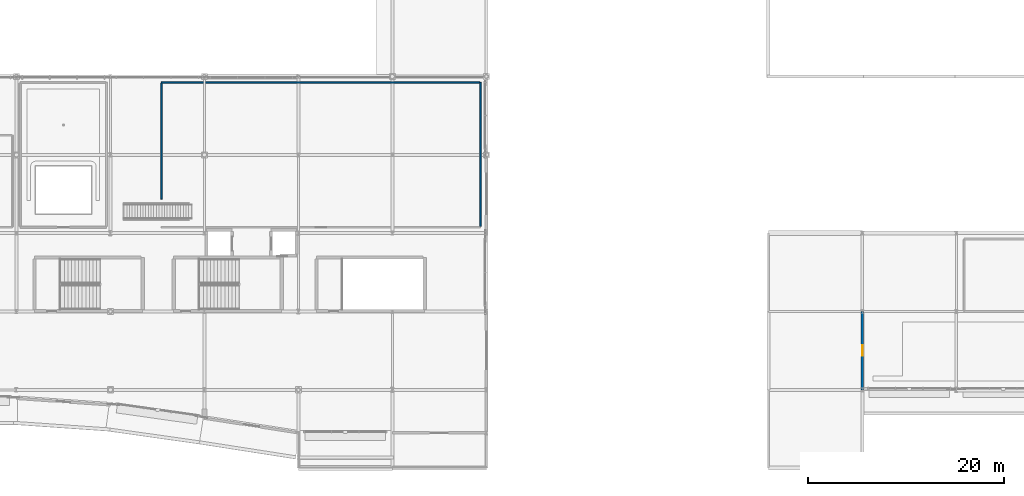
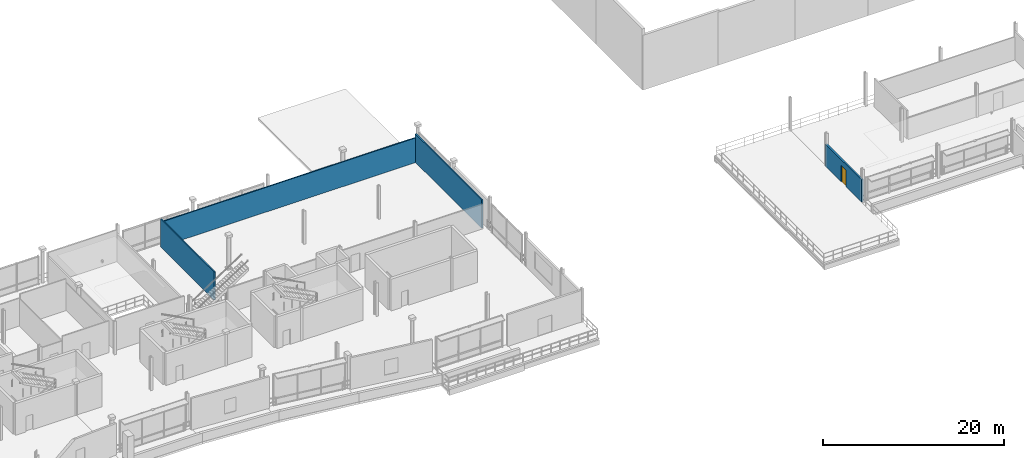
# One storey, part 39 of 59: 4 walls, 1 door, 1 opening.
"""IFC4 building model written with IfcOpenShell, lengths in metres."""

from ifc_helpers import new_model, si_unit, direction, frame, frame_2d, origin, place, context, subcontext, project, spatial, rectangle, extrude, material, layer, layer_set, type_object, element, fill, save


model = new_model("IFC4")

# Units and contexts
model_context = context("Model", 3, precision=1e-05, world=origin(), true_north=direction((0.0, 1.0)))
body_context = subcontext(model_context, "Body", "Model", "MODEL_VIEW")
ifc_project = project(units=[si_unit("LENGTHUNIT", "METRE"), si_unit("AREAUNIT", "SQUARE_METRE"), si_unit("VOLUMEUNIT", "CUBIC_METRE"), si_unit("PLANEANGLEUNIT", "RADIAN"), si_unit("MASSUNIT", "GRAM", prefix="KILO")], contexts=[model_context])

# Site, building, storey
site_placement = place(None, origin())
site = spatial("IfcSite", under=ifc_project, at=site_placement, CompositionType="ELEMENT")
building_placement = place(site_placement, origin())
building = spatial("IfcBuilding", under=site, at=building_placement, Name="Danafjord Basin Convention Centre", CompositionType="ELEMENT")
storey_placement = place(building_placement, frame((0.0, 0.0, 15.89990234375)))
storey = spatial("IfcBuildingStorey", under=building, at=storey_placement, Name="L03", CompositionType="ELEMENT", Elevation=15.89990234375)

# Wall, opening, door
ifc_material_1 = material(Name="Concrete C35/45", Category="concrete")
ifc_layer_1 = layer(ifc_material_1, 0.22998046875)
ifc_layer_set_1 = layer_set([ifc_layer_1], Name="Concrete C35/45")
wall_type_1 = type_object("IfcWallType", Name="WALL-EW-STD230", PredefinedType="STANDARD", material=ifc_layer_set_1)
wall_1_placement = place(storey_placement, frame((153.60009765625, 8.0, 0.0), z_axis=(0.0, 0.0, 1.0), x_axis=(0.0, 1.0, 0.0)))
wall_1 = element("IfcWall", 1, at=wall_1_placement, inside=storey, type_object=wall_type_1, Name="L03 South-West harbour terrace access wall", PredefinedType="STANDARD", context=body_context, shape_type="SweptSolid", body=[
    extrude(rectangle(XDim=8.0, YDim=0.22998046875, at=frame_2d((4.0, 0.0))), origin(), (0.0, 0.0, 1.0), 3.005126953125),
])
opening_placement = place(wall_1_placement, frame((3.455078125, 0.0, 0.0)))
opening = element("IfcOpeningElement", 2, at=opening_placement, cuts=wall_1, Name="Opening ED-06", PredefinedType="OPENING", context=body_context, shape_type="SweptSolid", body=[
    extrude(rectangle(XDim=1.090087890625, YDim=2.219970703125, at=frame_2d((0.544921875, 1.10986328125))), frame((0.0, 0.125, 0.0), z_axis=(0.0, -1.0, 0.0), x_axis=(1.0, 0.0, 0.0)), (0.0, 0.0, 1.0), 0.25),
])
ifc_material_2 = material(Name="Thermally broken anodised aluminium and steel", Category="steel")
door_type = type_object("IfcDoorType", Name="DOOR-ED-06", OperationType="SINGLE_SWING_LEFT", PredefinedType="DOOR", material=ifc_material_2)
door_placement = place(opening_placement, origin())
door = element("IfcDoor", 3, at=door_placement, inside=storey, type_object=door_type, Name="South-West Harbour Terrace Door", OperationType="SINGLE_SWING_LEFT", OverallHeight=2.219970703125, OverallWidth=1.090087890625, PredefinedType="DOOR", context=body_context, shape_type="SweptSolid", body=[
    extrude(rectangle(XDim=1.090087890625, YDim=2.219970703125, at=frame_2d((0.544921875, 1.10986328125))), frame((0.0, 0.02490234375, 0.0), z_axis=(0.0, -1.0, 0.0), x_axis=(1.0, 0.0, 0.0)), (0.0, 0.0, 1.0), 0.050048828125),
])
fill(opening, door)

# Walls
ifc_material_3 = material(Name="Fire-rated gypsum metal-stud partition")
ifc_layer_2 = layer(ifc_material_3, 0.14990234375)
ifc_layer_set_2 = layer_set([ifc_layer_2], Name="Fire-rated gypsum metal-stud partition")
wall_type_2 = type_object("IfcWallType", Name="WALL-PT-ST150", PredefinedType="PARTITIONING", material=ifc_layer_set_2)
wall_2_placement = place(storey_placement, frame((114.60009765625, 24.678955078125, 0.0), z_axis=(0.0, 0.0, 1.0), x_axis=(0.0, 1.0, 0.0)))
element("IfcWall", 4, at=wall_2_placement, inside=storey, type_object=wall_type_2, Name="International Media Broadcast Suite east partition", PredefinedType="PARTITIONING", context=body_context, shape_type="SweptSolid", body=[
    extrude(rectangle(XDim=14.720947265625, YDim=0.14990234375, at=frame_2d((7.3603515625, 0.0))), origin(), (0.0, 0.0, 1.0), 3.85400390625),
])
wall_3_placement = place(storey_placement, frame((114.52099609375, 39.39990234375, 0.0), z_axis=(0.0, 0.0, 1.0), x_axis=(-1.0, 0.0, 0.0)))
element("IfcWall", 5, at=wall_3_placement, inside=storey, type_object=wall_type_2, Name="International Media Broadcast Suite north partition", PredefinedType="PARTITIONING", context=body_context, shape_type="SweptSolid", body=[
    extrude(rectangle(XDim=32.52099609375, YDim=0.14990234375, at=frame_2d((16.260498046875, 0.0))), origin(), (0.0, 0.0, 1.0), 3.34619140625),
])
wall_4_placement = place(storey_placement, frame((82.0, 39.321044921875, 0.0), z_axis=(0.0, 0.0, 1.0), x_axis=(0.0, -1.0, 0.0)))
element("IfcWall", 6, at=wall_4_placement, inside=storey, type_object=wall_type_2, Name="International Media Broadcast Suite west partition", PredefinedType="PARTITIONING", context=body_context, shape_type="SweptSolid", body=[
    extrude(rectangle(XDim=11.845947265625, YDim=0.14990234375, at=frame_2d((5.9228515625, 0.0))), origin(), (0.0, 0.0, 1.0), 3.796142578125),
])

save(model, "model.ifc")
